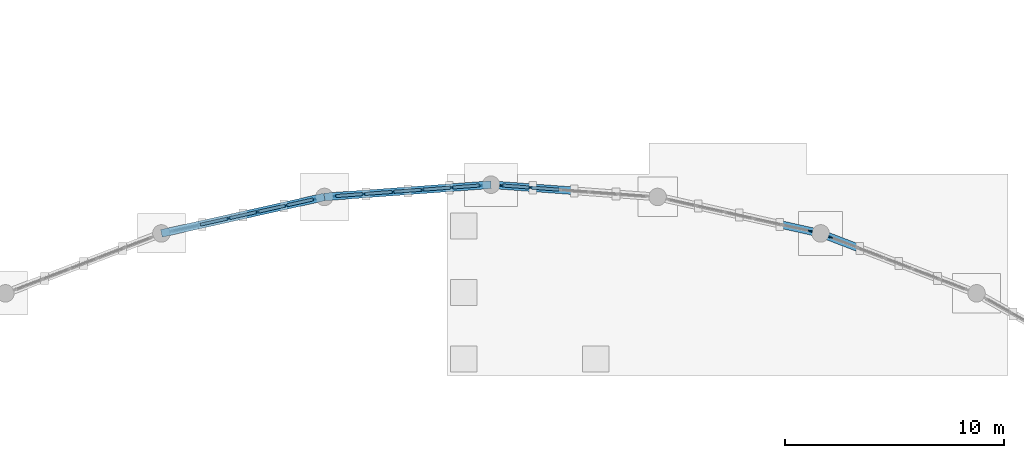
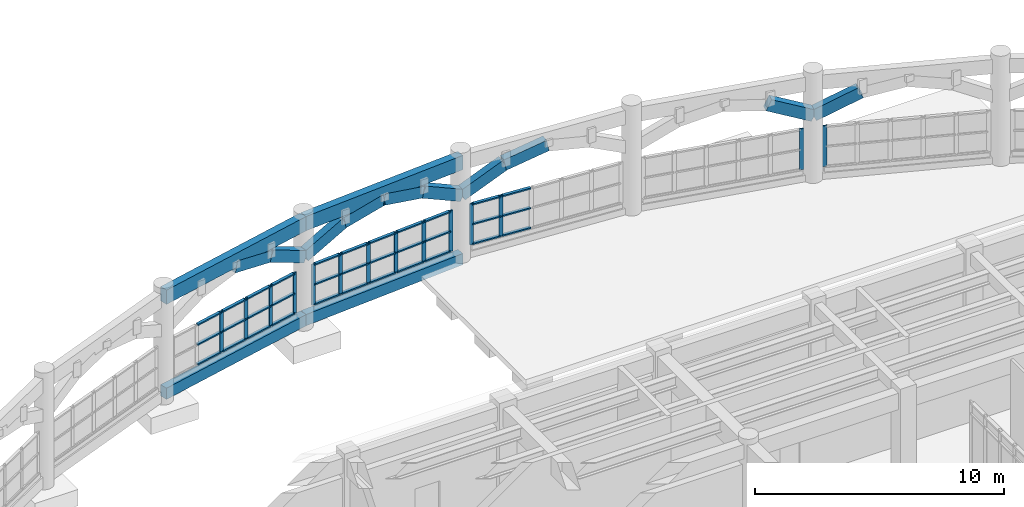
# One storey, part 31 of 100: 57 members, 4 beams, 5 elements without a shape of their own.
"""IFC4 building model written with IfcOpenShell, lengths in metres."""

from ifc_helpers import new_model, si_unit, direction, frame, origin, origin_2d, place, context, subcontext, project, spatial, rectangle, extrude, material, material_profile, profile_set, type_object, element, aggregate, save


model = new_model("IFC4")

# Units and contexts
model_context = context("Model", 3, precision=1e-05, world=origin(), true_north=direction((0.0, 1.0)))
body_context = subcontext(model_context, "Body", "Model", "MODEL_VIEW")
ifc_project = project(units=[si_unit("LENGTHUNIT", "METRE"), si_unit("AREAUNIT", "SQUARE_METRE"), si_unit("VOLUMEUNIT", "CUBIC_METRE"), si_unit("PLANEANGLEUNIT", "RADIAN"), si_unit("MASSUNIT", "GRAM", prefix="KILO")], contexts=[model_context])

# Site, building, storey
site_placement = place(None, origin())
site = spatial("IfcSite", under=ifc_project, at=site_placement, CompositionType="ELEMENT")
building_placement = place(site_placement, origin())
building = spatial("IfcBuilding", under=site, at=building_placement, Name="Mithqara Police Headquarters", CompositionType="ELEMENT")
storey_placement = place(building_placement, origin())
storey = spatial("IfcBuildingStorey", under=building, at=storey_placement, Name="L00", CompositionType="ELEMENT", Elevation=0.0)

# Members
ifc_material_1 = material(Name="Concrete C50/60", Category="concrete")
ifc_material_profile_1 = material_profile(ifc_material_1, rectangle(XDim=0.35009765625, YDim=0.550048828125, at=origin_2d()), Name="ARC 350x550")
ifc_profile_set_1 = profile_set([ifc_material_profile_1], Name="Concrete C50/60")
member_type_1 = type_object("IfcMemberType", Name="ARCH SEG 350X550", PredefinedType="STRUT", material=ifc_profile_set_1)
member_1_placement = place(storey_placement, frame((61.27685546875, 100.3125, 4.449951171875), z_axis=(0.956937397814, 0.214174095993, -0.195959876685), x_axis=(-0.218408621026, 0.975857404676, 0.0)))
element("IfcMember", 1, at=member_1_placement, inside=storey, type_object=member_type_1, Name="Forecourt Colonnade Bay 3 Ottoman Arch Chord 3", PredefinedType="STRUT", context=body_context, shape_type="SweptSolid", body=[
    extrude(rectangle(XDim=0.35009765625, YDim=0.550048828125, at=origin_2d()), origin(), (0.0, 0.0, 1.0), 1.943603515625),
])
for number, where, z_axis, x_axis, name in (
    (2, (63.13671875, 100.728759765625, 4.069091796875), (0.878970376857, 0.196724139215, -0.434408436449), (-0.218408621026, 0.975857404676, 0.0), "Forecourt Colonnade Bay 3 Ottoman Arch Chord 4"),
    (3, (64.99658203125, 101.14501953125, 3.14990234375), (0.898306319308, 0.065994247964, 0.434385216054), (-0.073267742061, 0.99731230714, 0.0), "Forecourt Colonnade Bay 4 Ottoman Arch Chord 1"),
):
    element("IfcMember", number, at=place(storey_placement, frame(where, z_axis=z_axis, x_axis=x_axis)), inside=storey, type_object=member_type_1, Name=name, PredefinedType="STRUT", context=body_context, shape_type="SweptSolid", body=[
        extrude(rectangle(XDim=0.35009765625, YDim=0.550048828125, at=origin_2d()), origin(), (0.0, 0.0, 1.0), 2.115966796875),
    ])
for number, where, z_axis, x_axis, name in (
    (4, (66.8974609375, 101.28466796875, 4.069091796875), (0.977978805008, 0.071847402577, 0.195947461574), (-0.073267742061, 0.99731230714, 0.0), "Forecourt Colonnade Bay 4 Ottoman Arch Chord 2"),
    (5, (68.79833984375, 101.42431640625, 4.449951171875), (0.977969971583, 0.07197235984, -0.195945691712), (-0.073395143114, 0.997302939416, 0.0), "Forecourt Colonnade Bay 4 Ottoman Arch Chord 3"),
):
    element("IfcMember", number, at=place(storey_placement, frame(where, z_axis=z_axis, x_axis=x_axis)), inside=storey, type_object=member_type_1, Name=name, PredefinedType="STRUT", context=body_context, shape_type="SweptSolid", body=[
        extrude(rectangle(XDim=0.35009765625, YDim=0.550048828125, at=origin_2d()), origin(), (0.0, 0.0, 1.0), 1.943603515625),
    ])
for number, where, z_axis, x_axis, name in (
    (6, (70.69921875, 101.564208984375, 4.069091796875), (0.898306319308, 0.065994247964, -0.434385216054), (-0.073267742061, 0.99731230714, 0.0), "Forecourt Colonnade Bay 4 Ottoman Arch Chord 4"),
    (7, (72.60009765625, 101.703857421875, 3.14990234375), (0.898284043276, -0.066001088343, 0.434430240583), (0.073277102928, 0.997311619398, 0.0), "Forecourt Colonnade Bay 5 Ottoman Arch Chord 1"),
):
    element("IfcMember", number, at=place(storey_placement, frame(where, z_axis=z_axis, x_axis=x_axis)), inside=storey, type_object=member_type_1, Name=name, PredefinedType="STRUT", context=body_context, shape_type="SweptSolid", body=[
        extrude(rectangle(XDim=0.35009765625, YDim=0.550048828125, at=origin_2d()), origin(), (0.0, 0.0, 1.0), 2.115966796875),
    ])
member_2_placement = place(storey_placement, frame((74.500732421875, 101.564208984375, 4.069091796875), z_axis=(0.977969971583, -0.07197235984, 0.195945691712), x_axis=(0.073395143114, 0.997302939416, 0.0)))
element("IfcMember", 8, at=member_2_placement, inside=storey, type_object=member_type_1, Name="Forecourt Colonnade Bay 5 Ottoman Arch Chord 2", PredefinedType="STRUT", context=body_context, shape_type="SweptSolid", body=[
    extrude(rectangle(XDim=0.35009765625, YDim=0.550048828125, at=origin_2d()), origin(), (0.0, 0.0, 1.0), 1.943603515625),
])
member_3_placement = place(storey_placement, frame((85.783203125, 99.896484375, 4.069091796875), z_axis=(0.878996611721, -0.196704189918, -0.434364384188), x_axis=(0.218381321908, 0.975863514146, 0.0)))
element("IfcMember", 9, at=member_3_placement, inside=storey, type_object=member_type_1, Name="Forecourt Colonnade Bay 6 Ottoman Arch Chord 4", PredefinedType="STRUT", context=body_context, shape_type="SweptSolid", body=[
    extrude(rectangle(XDim=0.35009765625, YDim=0.550048828125, at=origin_2d()), origin(), (0.0, 0.0, 1.0), 2.1162109375),
])
member_4_placement = place(storey_placement, frame((87.643310546875, 99.480224609375, 3.14990234375), z_axis=(0.840782602286, -0.323067282339, 0.434410113573), x_axis=(0.358678621144, 0.933461111528, 0.0)))
element("IfcMember", 10, at=member_4_placement, inside=storey, type_object=member_type_1, Name="Forecourt Colonnade Bay 7 Ottoman Arch Chord 1", PredefinedType="STRUT", context=body_context, shape_type="SweptSolid", body=[
    extrude(rectangle(XDim=0.35009765625, YDim=0.550048828125, at=origin_2d()), origin(), (0.0, 0.0, 1.0), 2.115966796875),
])

# Beams
ifc_material_2 = material(Name="Concrete C40/50", Category="concrete")
ifc_material_profile_2 = material_profile(ifc_material_2, rectangle(XDim=0.35009765625, YDim=0.550048828125, at=origin_2d()), Name="RC 350x550")
ifc_profile_set_2 = profile_set([ifc_material_profile_2], Name="Concrete C40/50")
beam_type_1 = type_object("IfcBeamType", Name="BEAM RC350X550", PredefinedType="BEAM", material=ifc_profile_set_2)
beam_1_placement = place(storey_placement, frame((57.556884765625, 99.480224609375, 0.0400390625), z_axis=(0.975865757025, 0.218371299089, 0.0), x_axis=(-0.218371299089, 0.975865757025, 0.0)))
element("IfcBeam", 11, at=beam_1_placement, inside=storey, type_object=beam_type_1, Name="Forecourt Colonnade Plinth Spandrel 3", PredefinedType="BEAM", context=body_context, shape_type="SweptSolid", body=[
    extrude(rectangle(XDim=0.35009765625, YDim=0.550048828125, at=origin_2d()), origin(), (0.0, 0.0, 1.0), 7.623779296875),
])
beam_2_placement = place(storey_placement, frame((64.99658203125, 101.14501953125, 0.0400390625), z_axis=(0.997309966718, 0.07329959266, 0.0), x_axis=(-0.07329959266, 0.997309966718, 0.0)))
element("IfcBeam", 12, at=beam_2_placement, inside=storey, type_object=beam_type_1, Name="Forecourt Colonnade Plinth Spandrel 4", PredefinedType="BEAM", context=body_context, shape_type="SweptSolid", body=[
    extrude(rectangle(XDim=0.35009765625, YDim=0.550048828125, at=origin_2d()), origin(), (0.0, 0.0, 1.0), 7.6240234375),
])

# Curtain wall, members
ifc_material_3 = material(Name="Bronze anodised aluminium 6063-T6", Category="aluminium")
curtain_wall_type = type_object("IfcCurtainWallType", Name="CURTAIN WALL 6725X2000", PredefinedType="USERDEFINED", material=ifc_material_3)
curtain_wall_1_placement = place(storey_placement, origin())
curtain_wall_1 = element("IfcCurtainWall", 13, at=curtain_wall_1_placement, inside=storey, type_object=curtain_wall_type, Name="L00 Unitised Glazing CW-11 (CW-ARC-L00-02-0)", ObjectType="UNITISED GLAZING", PredefinedType="USERDEFINED")
ifc_material_profile_3 = material_profile(ifc_material_3, rectangle(XDim=0.06494140625, YDim=0.179931640625, at=origin_2d()), Name="CWM 65x180")
ifc_profile_set_3 = profile_set([ifc_material_profile_3], Name="Bronze anodised aluminium 6063-T6")
member_type_2 = type_object("IfcMemberType", Name="CWMULLION 65X180", PredefinedType="MULLION", material=ifc_profile_set_3)
member_5_placement = place(storey_placement, frame((60.62060546875, 100.165771484375, 0.52001953125), z_axis=(0.0, 0.0, 1.0), x_axis=(-0.218334747306, 0.975873935567, 0.0)))
member_5 = element("IfcMember", 14, at=member_5_placement, type_object=member_type_2, Name="CW-11 mullion 3", PredefinedType="MULLION", context=body_context, shape_type="SweptSolid", body=[
    extrude(rectangle(XDim=0.06494140625, YDim=0.179931640625, at=origin_2d()), origin(), (0.0, 0.0, 1.0), 2.0),
])
member_6_placement = place(storey_placement, frame((61.932861328125, 100.45947265625, 0.52001953125), z_axis=(0.0, 0.0, 1.0), x_axis=(-0.218334747306, 0.975873935567, 0.0)))
member_6 = element("IfcMember", 15, at=member_6_placement, type_object=member_type_2, Name="CW-11 mullion 4", PredefinedType="MULLION", context=body_context, shape_type="SweptSolid", body=[
    extrude(rectangle(XDim=0.06494140625, YDim=0.179931640625, at=origin_2d()), origin(), (0.0, 0.0, 1.0), 2.0),
])
member_7_placement = place(storey_placement, frame((63.245361328125, 100.753173828125, 0.52001953125), z_axis=(0.0, 0.0, 1.0), x_axis=(-0.218334747306, 0.975873935567, 0.0)))
member_7 = element("IfcMember", 16, at=member_7_placement, type_object=member_type_2, Name="CW-11 mullion 5", PredefinedType="MULLION", context=body_context, shape_type="SweptSolid", body=[
    extrude(rectangle(XDim=0.06494140625, YDim=0.179931640625, at=origin_2d()), origin(), (0.0, 0.0, 1.0), 2.0),
])
member_8_placement = place(storey_placement, frame((64.526123046875, 101.03955078125, 0.52001953125), z_axis=(0.0, 0.0, 1.0), x_axis=(-0.218334747306, 0.975873935567, 0.0)))
member_8 = element("IfcMember", 17, at=member_8_placement, type_object=member_type_2, Name="CW-11 mullion 6", PredefinedType="MULLION", context=body_context, shape_type="SweptSolid", body=[
    extrude(rectangle(XDim=0.06494140625, YDim=0.179931640625, at=origin_2d()), origin(), (0.0, 0.0, 1.0), 2.0),
])

curtain_wall_2_placement = place(storey_placement, origin())
curtain_wall_2 = element("IfcCurtainWall", 18, at=curtain_wall_2_placement, inside=storey, type_object=curtain_wall_type, Name="L00 Unitised Glazing CW-11 (CW-ARC-L00-03-0)", ObjectType="UNITISED GLAZING", PredefinedType="USERDEFINED")
member_9_placement = place(storey_placement, frame((65.4775390625, 101.18017578125, 0.52001953125), z_axis=(0.0, 0.0, 1.0), x_axis=(-0.073298163631, 0.997310071747, 0.0)))
member_9 = element("IfcMember", 19, at=member_9_placement, type_object=member_type_2, Name="CW-11 mullion 1", PredefinedType="MULLION", context=body_context, shape_type="SweptSolid", body=[
    extrude(rectangle(XDim=0.06494140625, YDim=0.179931640625, at=origin_2d()), origin(), (0.0, 0.0, 1.0), 2.0),
])
member_10_placement = place(storey_placement, frame((66.786376953125, 101.2763671875, 0.52001953125), z_axis=(0.0, 0.0, 1.0), x_axis=(-0.073298163631, 0.997310071747, 0.0)))
member_10 = element("IfcMember", 20, at=member_10_placement, type_object=member_type_2, Name="CW-11 mullion 2", PredefinedType="MULLION", context=body_context, shape_type="SweptSolid", body=[
    extrude(rectangle(XDim=0.06494140625, YDim=0.179931640625, at=origin_2d()), origin(), (0.0, 0.0, 1.0), 2.0),
])
member_11_placement = place(storey_placement, frame((68.127685546875, 101.375, 0.52001953125), z_axis=(0.0, 0.0, 1.0), x_axis=(-0.073298163631, 0.997310071747, 0.0)))
member_11 = element("IfcMember", 21, at=member_11_placement, type_object=member_type_2, Name="CW-11 mullion 3", PredefinedType="MULLION", context=body_context, shape_type="SweptSolid", body=[
    extrude(rectangle(XDim=0.06494140625, YDim=0.179931640625, at=origin_2d()), origin(), (0.0, 0.0, 1.0), 2.0),
])
member_12_placement = place(storey_placement, frame((69.468994140625, 101.4736328125, 0.52001953125), z_axis=(0.0, 0.0, 1.0), x_axis=(-0.073298163631, 0.997310071747, 0.0)))
member_12 = element("IfcMember", 22, at=member_12_placement, type_object=member_type_2, Name="CW-11 mullion 4", PredefinedType="MULLION", context=body_context, shape_type="SweptSolid", body=[
    extrude(rectangle(XDim=0.06494140625, YDim=0.179931640625, at=origin_2d()), origin(), (0.0, 0.0, 1.0), 2.0),
])
member_13_placement = place(storey_placement, frame((70.810302734375, 101.572265625, 0.52001953125), z_axis=(0.0, 0.0, 1.0), x_axis=(-0.073298163631, 0.997310071747, 0.0)))
member_13 = element("IfcMember", 23, at=member_13_placement, type_object=member_type_2, Name="CW-11 mullion 5", PredefinedType="MULLION", context=body_context, shape_type="SweptSolid", body=[
    extrude(rectangle(XDim=0.06494140625, YDim=0.179931640625, at=origin_2d()), origin(), (0.0, 0.0, 1.0), 2.0),
])
member_14_placement = place(storey_placement, frame((72.119140625, 101.66845703125, 0.52001953125), z_axis=(0.0, 0.0, 1.0), x_axis=(-0.073298163631, 0.997310071747, 0.0)))
member_14 = element("IfcMember", 24, at=member_14_placement, type_object=member_type_2, Name="CW-11 mullion 6", PredefinedType="MULLION", context=body_context, shape_type="SweptSolid", body=[
    extrude(rectangle(XDim=0.06494140625, YDim=0.179931640625, at=origin_2d()), origin(), (0.0, 0.0, 1.0), 2.0),
])

curtain_wall_3_placement = place(storey_placement, origin())
curtain_wall_3 = element("IfcCurtainWall", 25, at=curtain_wall_3_placement, inside=storey, type_object=curtain_wall_type, Name="L00 Unitised Glazing CW-11 (CW-ARC-L00-04-0)", ObjectType="UNITISED GLAZING", PredefinedType="USERDEFINED")
member_15_placement = place(storey_placement, frame((73.080810546875, 101.66845703125, 0.52001953125), z_axis=(0.0, 0.0, 1.0), x_axis=(0.073298163631, 0.997310071747, 0.0)))
member_15 = element("IfcMember", 26, at=member_15_placement, type_object=member_type_2, Name="CW-11 mullion 1", PredefinedType="MULLION", context=body_context, shape_type="SweptSolid", body=[
    extrude(rectangle(XDim=0.06494140625, YDim=0.179931640625, at=origin_2d()), origin(), (0.0, 0.0, 1.0), 2.0),
])
member_16_placement = place(storey_placement, frame((74.3896484375, 101.572265625, 0.52001953125), z_axis=(0.0, 0.0, 1.0), x_axis=(0.073298163631, 0.997310071747, 0.0)))
member_16 = element("IfcMember", 27, at=member_16_placement, type_object=member_type_2, Name="CW-11 mullion 2", PredefinedType="MULLION", context=body_context, shape_type="SweptSolid", body=[
    extrude(rectangle(XDim=0.06494140625, YDim=0.179931640625, at=origin_2d()), origin(), (0.0, 0.0, 1.0), 2.0),
])

# Curtain wall, member
curtain_wall_4_placement = place(storey_placement, origin())
curtain_wall_4 = element("IfcCurtainWall", 28, at=curtain_wall_4_placement, inside=storey, type_object=curtain_wall_type, Name="L00 Unitised Glazing CW-11 (CW-ARC-L00-05-0)", ObjectType="UNITISED GLAZING", PredefinedType="USERDEFINED")
member_17_placement = place(storey_placement, frame((87.172607421875, 99.585693359375, 0.52001953125), z_axis=(0.0, 0.0, 1.0), x_axis=(0.218334747306, 0.975873935567, 0.0)))
member_17 = element("IfcMember", 29, at=member_17_placement, type_object=member_type_2, Name="CW-11 mullion 6", PredefinedType="MULLION", context=body_context, shape_type="SweptSolid", body=[
    extrude(rectangle(XDim=0.06494140625, YDim=0.179931640625, at=origin_2d()), origin(), (0.0, 0.0, 1.0), 2.0),
])
aggregate(curtain_wall_4, [member_17])

curtain_wall_5_placement = place(storey_placement, origin())
curtain_wall_5 = element("IfcCurtainWall", 30, at=curtain_wall_5_placement, inside=storey, type_object=curtain_wall_type, Name="L00 Unitised Glazing CW-11 (CW-ARC-L00-06-0)", ObjectType="UNITISED GLAZING", PredefinedType="USERDEFINED")
member_18_placement = place(storey_placement, frame((88.09326171875, 99.307373046875, 0.52001953125), z_axis=(0.0, 0.0, 1.0), x_axis=(0.358680114811, 0.933460537591, 0.0)))
member_18 = element("IfcMember", 31, at=member_18_placement, type_object=member_type_2, Name="CW-11 mullion 1", PredefinedType="MULLION", context=body_context, shape_type="SweptSolid", body=[
    extrude(rectangle(XDim=0.06494140625, YDim=0.179931640625, at=origin_2d()), origin(), (0.0, 0.0, 1.0), 2.0),
])
aggregate(curtain_wall_5, [member_18])

# Member
ifc_material_profile_4 = material_profile(ifc_material_3, rectangle(XDim=0.139892578125, YDim=0.06494140625, at=origin_2d()), Name="CWT 140x65")
ifc_profile_set_4 = profile_set([ifc_material_profile_4], Name="Bronze anodised aluminium 6063-T6")
member_type_3 = type_object("IfcMemberType", Name="CWTRANSOM 140X65", PredefinedType="USERDEFINED", material=ifc_profile_set_4)
member_19_placement = place(storey_placement, frame((59.33984375, 99.879150390625, 0.552490234375), z_axis=(0.975858311904, 0.218404567461, 0.0), x_axis=(-0.218404567461, 0.975858311904, 0.0)))
member_19 = element("IfcMember", 32, at=member_19_placement, type_object=member_type_3, Name="CW-11 transom 2.1", ObjectType="TRANSOM", PredefinedType="USERDEFINED", context=body_context, shape_type="SweptSolid", body=[
    extrude(rectangle(XDim=0.139892578125, YDim=0.06494140625, at=origin_2d()), origin(), (0.0, 0.0, 1.0), 1.280029296875),
])

member_20_placement = place(storey_placement, frame((59.33984375, 99.879150390625, 1.52001953125), z_axis=(0.975858311904, 0.218404567461, 0.0), x_axis=(-0.218404567461, 0.975858311904, 0.0)))
member_20 = element("IfcMember", 33, at=member_20_placement, type_object=member_type_3, Name="CW-11 transom 2.2", ObjectType="TRANSOM", PredefinedType="USERDEFINED", context=body_context, shape_type="SweptSolid", body=[
    extrude(rectangle(XDim=0.139892578125, YDim=0.06494140625, at=origin_2d()), origin(), (0.0, 0.0, 1.0), 1.280029296875),
])

member_21_placement = place(storey_placement, frame((59.33984375, 99.879150390625, 2.487548828125), z_axis=(0.975858311904, 0.218404567461, 0.0), x_axis=(-0.218404567461, 0.975858311904, 0.0)))
member_21 = element("IfcMember", 34, at=member_21_placement, type_object=member_type_3, Name="CW-11 transom 2.3", ObjectType="TRANSOM", PredefinedType="USERDEFINED", context=body_context, shape_type="SweptSolid", body=[
    extrude(rectangle(XDim=0.139892578125, YDim=0.06494140625, at=origin_2d()), origin(), (0.0, 0.0, 1.0), 1.280029296875),
])

member_22_placement = place(storey_placement, frame((60.65234375, 100.1728515625, 0.552490234375), z_axis=(0.975858311904, 0.218404567461, 0.0), x_axis=(-0.218404567461, 0.975858311904, 0.0)))
member_22 = element("IfcMember", 35, at=member_22_placement, type_object=member_type_3, Name="CW-11 transom 3.1", ObjectType="TRANSOM", PredefinedType="USERDEFINED", context=body_context, shape_type="SweptSolid", body=[
    extrude(rectangle(XDim=0.139892578125, YDim=0.06494140625, at=origin_2d()), origin(), (0.0, 0.0, 1.0), 1.280029296875),
])

member_23_placement = place(storey_placement, frame((60.65234375, 100.1728515625, 1.52001953125), z_axis=(0.975858311904, 0.218404567461, 0.0), x_axis=(-0.218404567461, 0.975858311904, 0.0)))
member_23 = element("IfcMember", 36, at=member_23_placement, type_object=member_type_3, Name="CW-11 transom 3.2", ObjectType="TRANSOM", PredefinedType="USERDEFINED", context=body_context, shape_type="SweptSolid", body=[
    extrude(rectangle(XDim=0.139892578125, YDim=0.06494140625, at=origin_2d()), origin(), (0.0, 0.0, 1.0), 1.280029296875),
])

member_24_placement = place(storey_placement, frame((60.65234375, 100.1728515625, 2.487548828125), z_axis=(0.975858311904, 0.218404567461, 0.0), x_axis=(-0.218404567461, 0.975858311904, 0.0)))
member_24 = element("IfcMember", 37, at=member_24_placement, type_object=member_type_3, Name="CW-11 transom 3.3", ObjectType="TRANSOM", PredefinedType="USERDEFINED", context=body_context, shape_type="SweptSolid", body=[
    extrude(rectangle(XDim=0.139892578125, YDim=0.06494140625, at=origin_2d()), origin(), (0.0, 0.0, 1.0), 1.280029296875),
])

member_25_placement = place(storey_placement, frame((61.964599609375, 100.466552734375, 0.552490234375), z_axis=(0.975898950823, 0.218222908472, 0.0), x_axis=(-0.218222908472, 0.975898950823, 0.0)))
member_25 = element("IfcMember", 38, at=member_25_placement, type_object=member_type_3, Name="CW-11 transom 4.1", ObjectType="TRANSOM", PredefinedType="USERDEFINED", context=body_context, shape_type="SweptSolid", body=[
    extrude(rectangle(XDim=0.139892578125, YDim=0.06494140625, at=origin_2d()), origin(), (0.0, 0.0, 1.0), 1.27978515625),
])

member_26_placement = place(storey_placement, frame((61.964599609375, 100.466552734375, 1.52001953125), z_axis=(0.975898950823, 0.218222908472, 0.0), x_axis=(-0.218222908472, 0.975898950823, 0.0)))
member_26 = element("IfcMember", 39, at=member_26_placement, type_object=member_type_3, Name="CW-11 transom 4.2", ObjectType="TRANSOM", PredefinedType="USERDEFINED", context=body_context, shape_type="SweptSolid", body=[
    extrude(rectangle(XDim=0.139892578125, YDim=0.06494140625, at=origin_2d()), origin(), (0.0, 0.0, 1.0), 1.27978515625),
])

member_27_placement = place(storey_placement, frame((61.964599609375, 100.466552734375, 2.487548828125), z_axis=(0.975898950823, 0.218222908472, 0.0), x_axis=(-0.218222908472, 0.975898950823, 0.0)))
member_27 = element("IfcMember", 40, at=member_27_placement, type_object=member_type_3, Name="CW-11 transom 4.3", ObjectType="TRANSOM", PredefinedType="USERDEFINED", context=body_context, shape_type="SweptSolid", body=[
    extrude(rectangle(XDim=0.139892578125, YDim=0.06494140625, at=origin_2d()), origin(), (0.0, 0.0, 1.0), 1.27978515625),
])

member_28_placement = place(storey_placement, frame((63.277099609375, 100.76025390625, 0.552490234375), z_axis=(0.975896050217, 0.218235879661, 0.0), x_axis=(-0.218235879661, 0.975896050217, 0.0)))
member_28 = element("IfcMember", 41, at=member_28_placement, type_object=member_type_3, Name="CW-11 transom 5.1", ObjectType="TRANSOM", PredefinedType="USERDEFINED", context=body_context, shape_type="SweptSolid", body=[
    extrude(rectangle(XDim=0.139892578125, YDim=0.06494140625, at=origin_2d()), origin(), (0.0, 0.0, 1.0), 1.247314453125),
])

member_29_placement = place(storey_placement, frame((63.277099609375, 100.76025390625, 1.52001953125), z_axis=(0.975896050217, 0.218235879661, 0.0), x_axis=(-0.218235879661, 0.975896050217, 0.0)))
member_29 = element("IfcMember", 42, at=member_29_placement, type_object=member_type_3, Name="CW-11 transom 5.2", ObjectType="TRANSOM", PredefinedType="USERDEFINED", context=body_context, shape_type="SweptSolid", body=[
    extrude(rectangle(XDim=0.139892578125, YDim=0.06494140625, at=origin_2d()), origin(), (0.0, 0.0, 1.0), 1.247314453125),
])

member_30_placement = place(storey_placement, frame((63.277099609375, 100.76025390625, 2.487548828125), z_axis=(0.975896050217, 0.218235879661, 0.0), x_axis=(-0.218235879661, 0.975896050217, 0.0)))
member_30 = element("IfcMember", 43, at=member_30_placement, type_object=member_type_3, Name="CW-11 transom 5.3", ObjectType="TRANSOM", PredefinedType="USERDEFINED", context=body_context, shape_type="SweptSolid", body=[
    extrude(rectangle(XDim=0.139892578125, YDim=0.06494140625, at=origin_2d()), origin(), (0.0, 0.0, 1.0), 1.247314453125),
])

aggregate(curtain_wall_1, [member_5, member_6, member_7, member_8, member_19, member_20, member_21, member_22, member_23, member_24, member_25, member_26, member_27, member_28, member_29, member_30])

member_31_placement = place(storey_placement, frame((65.510009765625, 101.1826171875, 0.552490234375), z_axis=(0.997302359725, 0.073403019607, 0.0), x_axis=(-0.073403019607, 0.997302359725, 0.0)))
member_31 = element("IfcMember", 44, at=member_31_placement, type_object=member_type_3, Name="CW-11 transom 1.1", ObjectType="TRANSOM", PredefinedType="USERDEFINED", context=body_context, shape_type="SweptSolid", body=[
    extrude(rectangle(XDim=0.139892578125, YDim=0.06494140625, at=origin_2d()), origin(), (0.0, 0.0, 1.0), 1.247314453125),
])

member_32_placement = place(storey_placement, frame((65.510009765625, 101.1826171875, 1.52001953125), z_axis=(0.997302359725, 0.073403019607, 0.0), x_axis=(-0.073403019607, 0.997302359725, 0.0)))
member_32 = element("IfcMember", 45, at=member_32_placement, type_object=member_type_3, Name="CW-11 transom 1.2", ObjectType="TRANSOM", PredefinedType="USERDEFINED", context=body_context, shape_type="SweptSolid", body=[
    extrude(rectangle(XDim=0.139892578125, YDim=0.06494140625, at=origin_2d()), origin(), (0.0, 0.0, 1.0), 1.247314453125),
])

member_33_placement = place(storey_placement, frame((65.510009765625, 101.1826171875, 2.487548828125), z_axis=(0.997302359725, 0.073403019607, 0.0), x_axis=(-0.073403019607, 0.997302359725, 0.0)))
member_33 = element("IfcMember", 46, at=member_33_placement, type_object=member_type_3, Name="CW-11 transom 1.3", ObjectType="TRANSOM", PredefinedType="USERDEFINED", context=body_context, shape_type="SweptSolid", body=[
    extrude(rectangle(XDim=0.139892578125, YDim=0.06494140625, at=origin_2d()), origin(), (0.0, 0.0, 1.0), 1.247314453125),
])

member_34_placement = place(storey_placement, frame((66.81884765625, 101.27880859375, 0.552490234375), z_axis=(0.997313366893, 0.073253315395, 0.0), x_axis=(-0.073253315395, 0.997313366893, 0.0)))
member_34 = element("IfcMember", 47, at=member_34_placement, type_object=member_type_3, Name="CW-11 transom 2.1", ObjectType="TRANSOM", PredefinedType="USERDEFINED", context=body_context, shape_type="SweptSolid", body=[
    extrude(rectangle(XDim=0.139892578125, YDim=0.06494140625, at=origin_2d()), origin(), (0.0, 0.0, 1.0), 1.27978515625),
])

member_35_placement = place(storey_placement, frame((66.81884765625, 101.27880859375, 1.52001953125), z_axis=(0.997313366893, 0.073253315395, 0.0), x_axis=(-0.073253315395, 0.997313366893, 0.0)))
member_35 = element("IfcMember", 48, at=member_35_placement, type_object=member_type_3, Name="CW-11 transom 2.2", ObjectType="TRANSOM", PredefinedType="USERDEFINED", context=body_context, shape_type="SweptSolid", body=[
    extrude(rectangle(XDim=0.139892578125, YDim=0.06494140625, at=origin_2d()), origin(), (0.0, 0.0, 1.0), 1.27978515625),
])

member_36_placement = place(storey_placement, frame((66.81884765625, 101.27880859375, 2.487548828125), z_axis=(0.997313366893, 0.073253315395, 0.0), x_axis=(-0.073253315395, 0.997313366893, 0.0)))
member_36 = element("IfcMember", 49, at=member_36_placement, type_object=member_type_3, Name="CW-11 transom 2.3", ObjectType="TRANSOM", PredefinedType="USERDEFINED", context=body_context, shape_type="SweptSolid", body=[
    extrude(rectangle(XDim=0.139892578125, YDim=0.06494140625, at=origin_2d()), origin(), (0.0, 0.0, 1.0), 1.27978515625),
])

member_37_placement = place(storey_placement, frame((68.16015625, 101.37744140625, 0.552490234375), z_axis=(0.997313366893, 0.073253315395, 0.0), x_axis=(-0.073253315395, 0.997313366893, 0.0)))
member_37 = element("IfcMember", 50, at=member_37_placement, type_object=member_type_3, Name="CW-11 transom 3.1", ObjectType="TRANSOM", PredefinedType="USERDEFINED", context=body_context, shape_type="SweptSolid", body=[
    extrude(rectangle(XDim=0.139892578125, YDim=0.06494140625, at=origin_2d()), origin(), (0.0, 0.0, 1.0), 1.27978515625),
])

member_38_placement = place(storey_placement, frame((68.16015625, 101.37744140625, 1.52001953125), z_axis=(0.997313366893, 0.073253315395, 0.0), x_axis=(-0.073253315395, 0.997313366893, 0.0)))
member_38 = element("IfcMember", 51, at=member_38_placement, type_object=member_type_3, Name="CW-11 transom 3.2", ObjectType="TRANSOM", PredefinedType="USERDEFINED", context=body_context, shape_type="SweptSolid", body=[
    extrude(rectangle(XDim=0.139892578125, YDim=0.06494140625, at=origin_2d()), origin(), (0.0, 0.0, 1.0), 1.27978515625),
])

member_39_placement = place(storey_placement, frame((68.16015625, 101.37744140625, 2.487548828125), z_axis=(0.997313366893, 0.073253315395, 0.0), x_axis=(-0.073253315395, 0.997313366893, 0.0)))
member_39 = element("IfcMember", 52, at=member_39_placement, type_object=member_type_3, Name="CW-11 transom 3.3", ObjectType="TRANSOM", PredefinedType="USERDEFINED", context=body_context, shape_type="SweptSolid", body=[
    extrude(rectangle(XDim=0.139892578125, YDim=0.06494140625, at=origin_2d()), origin(), (0.0, 0.0, 1.0), 1.27978515625),
])

member_40_placement = place(storey_placement, frame((69.50146484375, 101.47607421875, 0.552490234375), z_axis=(0.997313366893, 0.073253315395, 0.0), x_axis=(-0.073253315395, 0.997313366893, 0.0)))
member_40 = element("IfcMember", 53, at=member_40_placement, type_object=member_type_3, Name="CW-11 transom 4.1", ObjectType="TRANSOM", PredefinedType="USERDEFINED", context=body_context, shape_type="SweptSolid", body=[
    extrude(rectangle(XDim=0.139892578125, YDim=0.06494140625, at=origin_2d()), origin(), (0.0, 0.0, 1.0), 1.27978515625),
])

member_41_placement = place(storey_placement, frame((69.50146484375, 101.47607421875, 1.52001953125), z_axis=(0.997313366893, 0.073253315395, 0.0), x_axis=(-0.073253315395, 0.997313366893, 0.0)))
member_41 = element("IfcMember", 54, at=member_41_placement, type_object=member_type_3, Name="CW-11 transom 4.2", ObjectType="TRANSOM", PredefinedType="USERDEFINED", context=body_context, shape_type="SweptSolid", body=[
    extrude(rectangle(XDim=0.139892578125, YDim=0.06494140625, at=origin_2d()), origin(), (0.0, 0.0, 1.0), 1.27978515625),
])

member_42_placement = place(storey_placement, frame((69.50146484375, 101.47607421875, 2.487548828125), z_axis=(0.997313366893, 0.073253315395, 0.0), x_axis=(-0.073253315395, 0.997313366893, 0.0)))
member_42 = element("IfcMember", 55, at=member_42_placement, type_object=member_type_3, Name="CW-11 transom 4.3", ObjectType="TRANSOM", PredefinedType="USERDEFINED", context=body_context, shape_type="SweptSolid", body=[
    extrude(rectangle(XDim=0.139892578125, YDim=0.06494140625, at=origin_2d()), origin(), (0.0, 0.0, 1.0), 1.27978515625),
])

member_43_placement = place(storey_placement, frame((70.8427734375, 101.57470703125, 0.552490234375), z_axis=(0.997316670176, 0.073208328684, 0.0), x_axis=(-0.073208328684, 0.997316670176, 0.0)))
member_43 = element("IfcMember", 56, at=member_43_placement, type_object=member_type_3, Name="CW-11 transom 5.1", ObjectType="TRANSOM", PredefinedType="USERDEFINED", context=body_context, shape_type="SweptSolid", body=[
    extrude(rectangle(XDim=0.139892578125, YDim=0.06494140625, at=origin_2d()), origin(), (0.0, 0.0, 1.0), 1.247314453125),
])

member_44_placement = place(storey_placement, frame((70.8427734375, 101.57470703125, 1.52001953125), z_axis=(0.997316670176, 0.073208328684, 0.0), x_axis=(-0.073208328684, 0.997316670176, 0.0)))
member_44 = element("IfcMember", 57, at=member_44_placement, type_object=member_type_3, Name="CW-11 transom 5.2", ObjectType="TRANSOM", PredefinedType="USERDEFINED", context=body_context, shape_type="SweptSolid", body=[
    extrude(rectangle(XDim=0.139892578125, YDim=0.06494140625, at=origin_2d()), origin(), (0.0, 0.0, 1.0), 1.247314453125),
])

member_45_placement = place(storey_placement, frame((70.8427734375, 101.57470703125, 2.487548828125), z_axis=(0.997316670176, 0.073208328684, 0.0), x_axis=(-0.073208328684, 0.997316670176, 0.0)))
member_45 = element("IfcMember", 58, at=member_45_placement, type_object=member_type_3, Name="CW-11 transom 5.3", ObjectType="TRANSOM", PredefinedType="USERDEFINED", context=body_context, shape_type="SweptSolid", body=[
    extrude(rectangle(XDim=0.139892578125, YDim=0.06494140625, at=origin_2d()), origin(), (0.0, 0.0, 1.0), 1.247314453125),
])

aggregate(curtain_wall_2, [member_9, member_10, member_11, member_12, member_13, member_14, member_31, member_32, member_33, member_34, member_35, member_36, member_37, member_38, member_39, member_40, member_41, member_42, member_43, member_44, member_45])

member_46_placement = place(storey_placement, frame((73.11328125, 101.666015625, 0.552490234375), z_axis=(0.997316670176, -0.073208328684, 0.0), x_axis=(0.073208328684, 0.997316670176, 0.0)))
member_46 = element("IfcMember", 59, at=member_46_placement, type_object=member_type_3, Name="CW-11 transom 1.1", ObjectType="TRANSOM", PredefinedType="USERDEFINED", context=body_context, shape_type="SweptSolid", body=[
    extrude(rectangle(XDim=0.139892578125, YDim=0.06494140625, at=origin_2d()), origin(), (0.0, 0.0, 1.0), 1.247314453125),
])

member_47_placement = place(storey_placement, frame((73.11328125, 101.666015625, 1.52001953125), z_axis=(0.997316670176, -0.073208328684, 0.0), x_axis=(0.073208328684, 0.997316670176, 0.0)))
member_47 = element("IfcMember", 60, at=member_47_placement, type_object=member_type_3, Name="CW-11 transom 1.2", ObjectType="TRANSOM", PredefinedType="USERDEFINED", context=body_context, shape_type="SweptSolid", body=[
    extrude(rectangle(XDim=0.139892578125, YDim=0.06494140625, at=origin_2d()), origin(), (0.0, 0.0, 1.0), 1.247314453125),
])

member_48_placement = place(storey_placement, frame((73.11328125, 101.666015625, 2.487548828125), z_axis=(0.997316670176, -0.073208328684, 0.0), x_axis=(0.073208328684, 0.997316670176, 0.0)))
member_48 = element("IfcMember", 61, at=member_48_placement, type_object=member_type_3, Name="CW-11 transom 1.3", ObjectType="TRANSOM", PredefinedType="USERDEFINED", context=body_context, shape_type="SweptSolid", body=[
    extrude(rectangle(XDim=0.139892578125, YDim=0.06494140625, at=origin_2d()), origin(), (0.0, 0.0, 1.0), 1.247314453125),
])

member_49_placement = place(storey_placement, frame((74.422119140625, 101.56982421875, 0.552490234375), z_axis=(0.997313366893, -0.073253315395, 0.0), x_axis=(0.073253315395, 0.997313366893, 0.0)))
member_49 = element("IfcMember", 62, at=member_49_placement, type_object=member_type_3, Name="CW-11 transom 2.1", ObjectType="TRANSOM", PredefinedType="USERDEFINED", context=body_context, shape_type="SweptSolid", body=[
    extrude(rectangle(XDim=0.139892578125, YDim=0.06494140625, at=origin_2d()), origin(), (0.0, 0.0, 1.0), 1.27978515625),
])

member_50_placement = place(storey_placement, frame((74.422119140625, 101.56982421875, 1.52001953125), z_axis=(0.997313366893, -0.073253315395, 0.0), x_axis=(0.073253315395, 0.997313366893, 0.0)))
member_50 = element("IfcMember", 63, at=member_50_placement, type_object=member_type_3, Name="CW-11 transom 2.2", ObjectType="TRANSOM", PredefinedType="USERDEFINED", context=body_context, shape_type="SweptSolid", body=[
    extrude(rectangle(XDim=0.139892578125, YDim=0.06494140625, at=origin_2d()), origin(), (0.0, 0.0, 1.0), 1.27978515625),
])

member_51_placement = place(storey_placement, frame((74.422119140625, 101.56982421875, 2.487548828125), z_axis=(0.997313366893, -0.073253315395, 0.0), x_axis=(0.073253315395, 0.997313366893, 0.0)))
member_51 = element("IfcMember", 64, at=member_51_placement, type_object=member_type_3, Name="CW-11 transom 2.3", ObjectType="TRANSOM", PredefinedType="USERDEFINED", context=body_context, shape_type="SweptSolid", body=[
    extrude(rectangle(XDim=0.139892578125, YDim=0.06494140625, at=origin_2d()), origin(), (0.0, 0.0, 1.0), 1.27978515625),
])

aggregate(curtain_wall_3, [member_15, member_16, member_46, member_47, member_48, member_49, member_50, member_51])

# Beams
ifc_material_profile_5 = material_profile(ifc_material_2, rectangle(XDim=0.35009765625, YDim=0.699951171875, at=origin_2d()), Name="SPB 350x700")
ifc_profile_set_5 = profile_set([ifc_material_profile_5], Name="Concrete C40/50")
beam_type_2 = type_object("IfcBeamType", Name="SPANDREL 350X700", PredefinedType="SPANDREL", material=ifc_profile_set_5)
beam_3_placement = place(storey_placement, frame((57.556884765625, 99.480224609375, 4.77001953125), z_axis=(0.975865757025, 0.218371299089, 0.0), x_axis=(-0.218371299089, 0.975865757025, 0.0)))
element("IfcBeam", 65, at=beam_3_placement, inside=storey, type_object=beam_type_2, Name="L00 Swept Arcade Ring Spandrel 3", PredefinedType="SPANDREL", context=body_context, shape_type="SweptSolid", body=[
    extrude(rectangle(XDim=0.35009765625, YDim=0.699951171875, at=origin_2d()), origin(), (0.0, 0.0, 1.0), 7.623779296875),
])
beam_4_placement = place(storey_placement, frame((64.99658203125, 101.14501953125, 4.77001953125), z_axis=(0.997309966718, 0.07329959266, 0.0), x_axis=(-0.07329959266, 0.997309966718, 0.0)))
element("IfcBeam", 66, at=beam_4_placement, inside=storey, type_object=beam_type_2, Name="L00 Swept Arcade Ring Spandrel 4", PredefinedType="SPANDREL", context=body_context, shape_type="SweptSolid", body=[
    extrude(rectangle(XDim=0.35009765625, YDim=0.699951171875, at=origin_2d()), origin(), (0.0, 0.0, 1.0), 7.6240234375),
])

save(model, "model.ifc")
